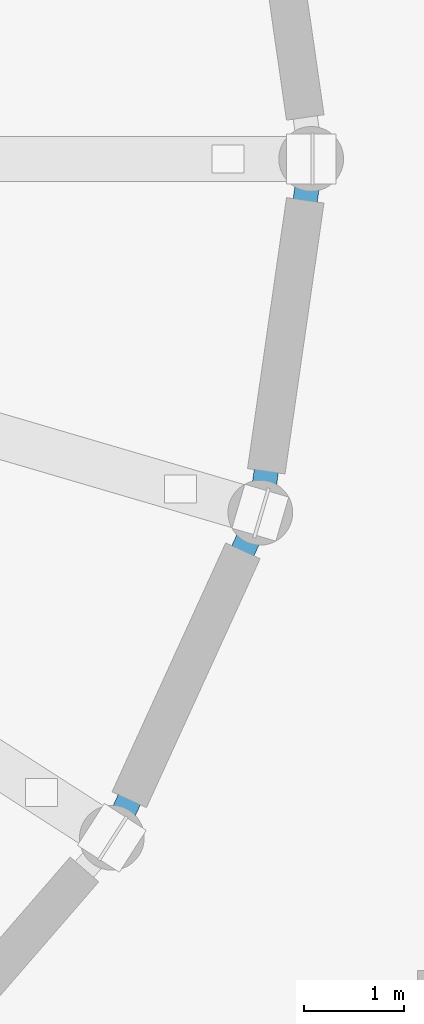
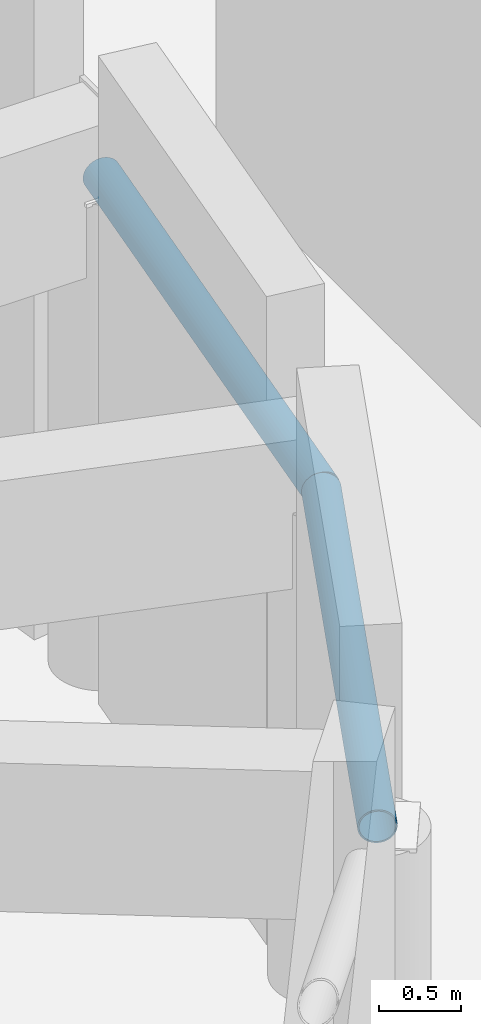
# One storey, part 25 of 69: 2 beams.
"""IFC4 building model written with IfcOpenShell, lengths in metres."""

from ifc_helpers import new_model, si_unit, direction, frame, origin, origin_2d, place, context, subcontext, project, spatial, hollow_circle, extrude, material, material_profile, profile_set, type_object, element, save


model = new_model("IFC4")

# Units and contexts
model_context = context("Model", 3, precision=1e-05, world=origin(), true_north=direction((0.0, 1.0)))
body_context = subcontext(model_context, "Body", "Model", "MODEL_VIEW")
ifc_project = project(units=[si_unit("LENGTHUNIT", "METRE"), si_unit("AREAUNIT", "SQUARE_METRE"), si_unit("VOLUMEUNIT", "CUBIC_METRE"), si_unit("PLANEANGLEUNIT", "RADIAN"), si_unit("MASSUNIT", "GRAM", prefix="KILO")], contexts=[model_context])

# Site, building, storey
site_placement = place(None, origin())
site = spatial("IfcSite", under=ifc_project, at=site_placement, CompositionType="ELEMENT")
building_placement = place(site_placement, origin())
building = spatial("IfcBuilding", under=site, at=building_placement, Name="Pelvatis Terrace Science Centre", CompositionType="ELEMENT")
storey_placement = place(building_placement, frame((0.0, 0.0, 15.0)))
storey = spatial("IfcBuildingStorey", under=building, at=storey_placement, Name="L03", CompositionType="ELEMENT", Elevation=15.0)

# Beams
ifc_material = material(Name="Structural steel S355", Category="steel")
ifc_material_profile = material_profile(ifc_material, hollow_circle(Radius=0.122314453125, WallThickness=0.010009765625, at=origin_2d()), Name="CHS 244.5x10.0")
ifc_profile_set = profile_set([ifc_material_profile], Name="Structural steel S355")
beam_type = type_object("IfcBeamType", Name="BM-HOOP-CHS244", PredefinedType="BEAM", material=ifc_profile_set)
for number, where, z_axis, x_axis, name in (
    (1, (119.7998046875, 78.98779296875, 3.60009765625), (0.415376845768, 0.909649424778, 0.0), (-0.909649424778, 0.415376845768, 0.0), "Planetarium dome hoop ring 1.21"),
    (2, (121.28955078125, 82.250244140625, 3.60009765625), (0.142345759139, 0.989816995639, 0.0), (-0.989816995639, 0.142345759139, 0.0), "Planetarium dome hoop ring 1.22"),
):
    element("IfcBeam", number, at=place(storey_placement, frame(where, z_axis=z_axis, x_axis=x_axis)), inside=storey, type_object=beam_type, Name=name, PredefinedType="BEAM", context=body_context, shape_type="SweptSolid", body=[
        extrude(hollow_circle(Radius=0.122314453125, WallThickness=0.010009765625, at=origin_2d()), origin(), (0.0, 0.0, 1.0), 3.58642578125),
    ])

save(model, "model.ifc")
